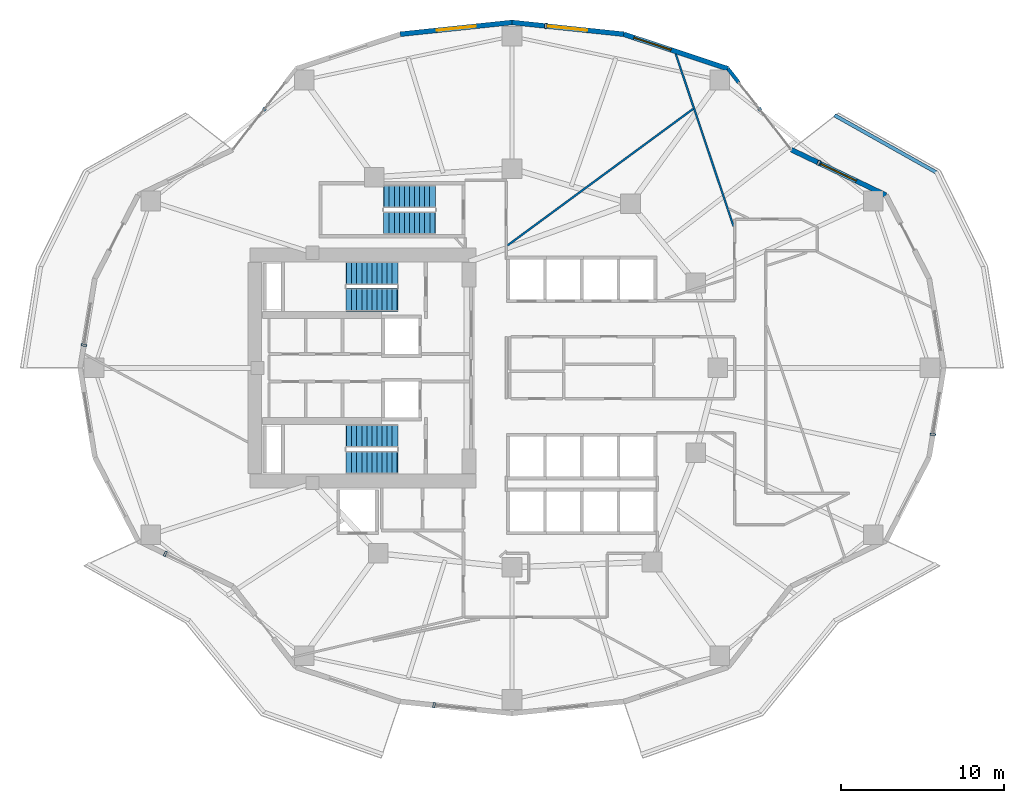
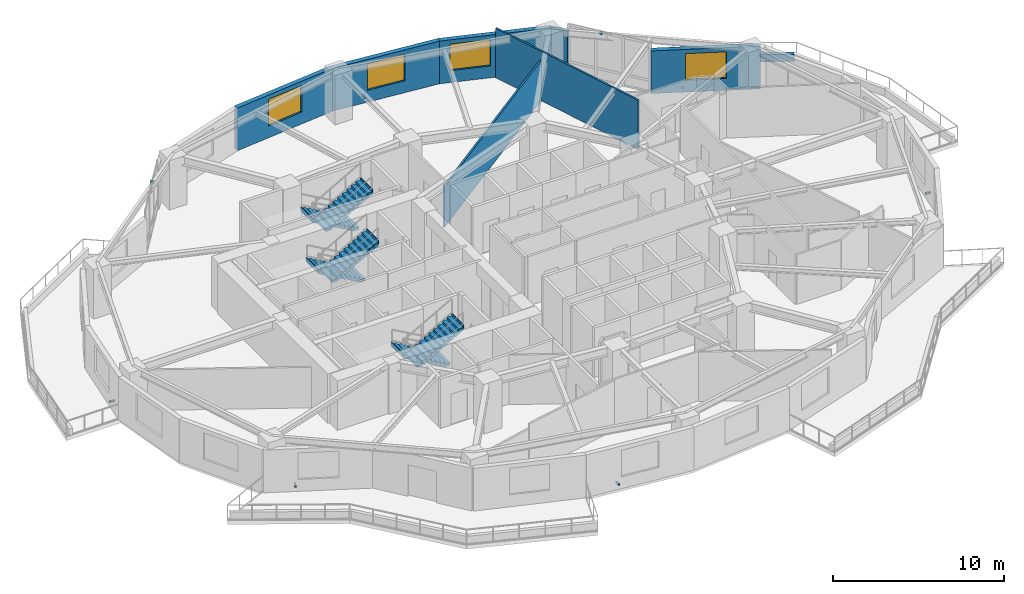
# One storey, part 9 of 12: 8 discrete accessories, 8 walls, 6 stair flights, 4 windows, 4 openings, 3 elements without a shape of their own.
"""IFC4 building model written with IfcOpenShell, lengths in metres."""

from ifc_helpers import new_model, si_unit, direction, frame, frame_2d, origin, origin_2d, place, context, subcontext, project, spatial, polyline, rectangle, outline, extrude, material, layer, layer_set, type_object, element, fill, aggregate, save


model = new_model("IFC4")

# Units and contexts
model_context = context("Model", 3, precision=1e-05, world=origin(), true_north=direction((0.0, 1.0)))
body_context = subcontext(model_context, "Body", "Model", "MODEL_VIEW")
ifc_project = project(units=[si_unit("LENGTHUNIT", "METRE"), si_unit("AREAUNIT", "SQUARE_METRE"), si_unit("VOLUMEUNIT", "CUBIC_METRE"), si_unit("PLANEANGLEUNIT", "RADIAN"), si_unit("MASSUNIT", "GRAM", prefix="KILO")], contexts=[model_context])

# Site, building, storey
site_placement = place(None, origin())
site = spatial("IfcSite", under=ifc_project, at=site_placement, CompositionType="ELEMENT")
building_placement = place(site_placement, origin())
building = spatial("IfcBuilding", under=site, at=building_placement, Name="Kolvaren Gate Tower and Convention Centre", CompositionType="ELEMENT")
storey_placement = place(building_placement, frame((0.0, 0.0, 91.949951171875)))
storey = spatial("IfcBuildingStorey", under=building, at=storey_placement, Name="L22", CompositionType="ELEMENT", Elevation=91.949951171875)

# Walls
ifc_material_1 = material(Name="Fire-Rated Acoustic Gypsum Stud Partition", Category="gypsum")
ifc_layer_1 = layer(ifc_material_1, 0.1201171875)
ifc_layer_set_1 = layer_set([ifc_layer_1], Name="Fire-Rated Acoustic Gypsum Stud Partition")
wall_type_1 = type_object("IfcWallType", Name="ARCH-WL-PART-120", PredefinedType="PARTITIONING", material=ifc_layer_set_1)
wall_1_placement = place(storey_placement, frame((40.150390625, 46.214599609375, 0.0), z_axis=(0.0, 0.0, 1.0), x_axis=(0.318097538603, -0.948057991863, 0.0)))
element("IfcWall", 1, at=wall_1_placement, inside=storey, type_object=wall_type_1, Name="Interior Partition WL-L22-INT-054", PredefinedType="PARTITIONING", context=body_context, shape_type="SweptSolid", body=[
    extrude(rectangle(XDim=11.12109375, YDim=0.1201171875, at=frame_2d((5.560546875, 0.0))), origin(), (0.0, 0.0, 1.0), 3.530029296875),
])
wall_2_placement = place(storey_placement, frame((29.842041015625, 34.49462890625, 0.0), z_axis=(0.0, 0.0, 1.0), x_axis=(0.805582047077, 0.592484232219, 0.0)))
element("IfcWall", 2, at=wall_2_placement, inside=storey, type_object=wall_type_1, Name="Interior Partition WL-L22-INT-061", PredefinedType="PARTITIONING", context=body_context, shape_type="SweptSolid", body=[
    extrude(rectangle(XDim=14.113525390625, YDim=0.1201171875, at=frame_2d((7.056640625, 0.0))), origin(), (0.0, 0.0, 1.0), 2.89404296875),
])
ifc_material_2 = material(Name="Bogota Sabana Bush-Hammered Sandstone Cladding", Category="masonry")
ifc_layer_2 = layer(ifc_material_2, 0.219970703125)
ifc_layer_set_2 = layer_set([ifc_layer_2], Name="Bogota Sabana Bush-Hammered Sandstone Cladding")
wall_type_2 = type_object("IfcWallType", Name="ARCH-WL-PIER-220", PredefinedType="SOLIDWALL", material=ifc_layer_set_2)
wall_3_placement = place(storey_placement, frame((43.34375, 45.31640625, 0.0), z_axis=(0.0, 0.0, 1.0), x_axis=(0.616387780378, -0.787442762492, 0.0)))
element("IfcWall", 3, at=wall_3_placement, inside=storey, type_object=wall_type_2, Name="Tower L22 Unitised Curtain Wall CW-OFF-UNIT Bay 03 Left Column Pier Wrap", PredefinedType="SOLIDWALL", context=body_context, shape_type="SweptSolid", body=[
    extrude(rectangle(XDim=1.076171875, YDim=0.219970703125, at=frame_2d((0.5380859375, 0.0))), origin(), (0.0, 0.0, 1.0), 3.052978515625),
])
ifc_material_3 = material(Name="Piedmont Cream Honed Limestone Cladding", Category="masonry")
ifc_layer_3 = layer(ifc_material_3, 0.219970703125)
ifc_layer_set_3 = layer_set([ifc_layer_3], Name="Piedmont Cream Honed Limestone Cladding")
wall_type_3 = type_object("IfcWallType", Name="ARCH-WL-PLANTER-220", PredefinedType="PARAPET", material=ifc_layer_set_3)
wall_4_placement = place(storey_placement, frame((49.867919921875, 42.469482421875, 0.0), z_axis=(0.0, 0.0, 1.0), x_axis=(0.871775109335, -0.489906275468, 0.0)))
element("IfcWall", 4, at=wall_4_placement, inside=storey, type_object=wall_type_3, Name="Vertical-Forest Balcony Stone Planter Kerb PK-L22-1.3", PredefinedType="PARAPET", context=body_context, shape_type="SweptSolid", body=[
    extrude(rectangle(XDim=7.152099609375, YDim=0.219970703125, at=frame_2d((3.576171875, 0.0))), origin(), (0.0, 0.0, 1.0), 0.52001953125),
])

# Wall, opening, window
ifc_layer_4 = layer(ifc_material_3, 0.300048828125)
ifc_layer_set_4 = layer_set([ifc_layer_4], Name="Piedmont Cream Honed Limestone Cladding")
wall_type_4 = type_object("IfcWallType", Name="ARCH-WL-STONE-300", PredefinedType="SOLIDWALL", material=ifc_layer_set_4)
wall_5_placement = place(storey_placement, frame((47.223876953125, 40.360107421875, 0.0), z_axis=(0.0, 0.0, 1.0), x_axis=(0.901354747727, -0.433081538224, 0.0)))
wall_5 = element("IfcWall", 5, at=wall_5_placement, inside=storey, type_object=wall_type_4, Name="Tower L22 Honed Stone Spandrel Wall EW-02", PredefinedType="SOLIDWALL", context=body_context, shape_type="SweptSolid", body=[
    extrude(rectangle(XDim=6.430908203125, YDim=0.300048828125, at=frame_2d((3.21533203125, 0.0))), origin(), (0.0, 0.0, 1.0), 3.052978515625),
])
opening_1_placement = place(wall_5_placement, frame((2.014892578125, 0.0, 0.85009765625)))
opening_1 = element("IfcOpeningElement", 6, at=opening_1_placement, cuts=wall_5, Name="Opening W-01", PredefinedType="OPENING", context=body_context, shape_type="SweptSolid", body=[
    extrude(rectangle(XDim=2.39990234375, YDim=1.89990234375, at=frame_2d((1.199951171875, 0.949951171875))), frame((0.0, 0.159912109375, 0.0), z_axis=(0.0, -1.0, 0.0), x_axis=(1.0, 0.0, 0.0)), (0.0, 0.0, 1.0), 0.320068359375),
])
ifc_material_4 = material(Name="Low-E Triple Insulated Glazing Unit 44 mm", Category="glass")
window_type = type_object("IfcWindowType", Name="ARCH-WN-OFF-2400", PartitioningType="SINGLE_PANEL", PredefinedType="WINDOW", material=ifc_material_4)
window_1_placement = place(opening_1_placement, origin())
window_1 = element("IfcWindow", 7, at=window_1_placement, inside=storey, type_object=window_type, Name="Tower L22 Punched Stone Facade Window W-02", OverallHeight=1.89990234375, OverallWidth=2.39990234375, PartitioningType="SINGLE_PANEL", PredefinedType="WINDOW", context=body_context, shape_type="SweptSolid", body=[
    extrude(rectangle(XDim=2.39990234375, YDim=1.89990234375, at=frame_2d((1.199951171875, 0.949951171875))), frame((0.0, 0.030029296875, 0.0), z_axis=(0.0, -1.0, 0.0), x_axis=(1.0, 0.0, 0.0)), (0.0, 0.0, 1.0), 0.06005859375),
])
fill(opening_1, window_1)

wall_6_placement = place(storey_placement, frame((36.967529296875, 47.42919921875, 0.0), z_axis=(0.0, 0.0, 1.0), x_axis=(0.949245153629, -0.314537181127, 0.0)))
wall_6 = element("IfcWall", 8, at=wall_6_placement, inside=storey, type_object=wall_type_4, Name="Tower L22 Honed Stone Spandrel Wall EW-04", PredefinedType="SOLIDWALL", context=body_context, shape_type="SweptSolid", body=[
    extrude(rectangle(XDim=6.717041015625, YDim=0.300048828125, at=frame_2d((3.3583984375, 0.0))), origin(), (0.0, 0.0, 1.0), 3.052978515625),
])
opening_2_placement = place(wall_6_placement, frame((0.64990234375, 0.0, 0.85009765625)))
opening_2 = element("IfcOpeningElement", 9, at=opening_2_placement, cuts=wall_6, Name="Opening W-01", PredefinedType="OPENING", context=body_context, shape_type="SweptSolid", body=[
    extrude(rectangle(XDim=2.39990234375, YDim=1.89990234375, at=frame_2d((1.199951171875, 0.949951171875))), frame((0.0, 0.159912109375, 0.0), z_axis=(0.0, -1.0, 0.0), x_axis=(1.0, 0.0, 0.0)), (0.0, 0.0, 1.0), 0.320068359375),
])
window_2_placement = place(opening_2_placement, origin())
window_2 = element("IfcWindow", 10, at=window_2_placement, inside=storey, type_object=window_type, Name="Tower L22 Punched Stone Facade Window W-04", OverallHeight=1.89990234375, OverallWidth=2.39990234375, PartitioningType="SINGLE_PANEL", PredefinedType="WINDOW", context=body_context, shape_type="SweptSolid", body=[
    extrude(rectangle(XDim=2.39990234375, YDim=1.89990234375, at=frame_2d((1.199951171875, 0.949951171875))), frame((0.0, 0.030029296875, 0.0), z_axis=(0.0, -1.0, 0.0), x_axis=(1.0, 0.0, 0.0)), (0.0, 0.0, 1.0), 0.06005859375),
])
fill(opening_2, window_2)

wall_7_placement = place(storey_placement, frame((30.125, 48.14990234375, 0.0), z_axis=(0.0, 0.0, 1.0), x_axis=(0.994498840295, -0.104747585419, 0.0)))
wall_7 = element("IfcWall", 11, at=wall_7_placement, inside=storey, type_object=wall_type_4, Name="Tower L22 Honed Stone Spandrel Wall EW-05", PredefinedType="SOLIDWALL", context=body_context, shape_type="SweptSolid", body=[
    extrude(rectangle(XDim=6.88037109375, YDim=0.300048828125, at=frame_2d((3.440185546875, 0.0))), origin(), (0.0, 0.0, 1.0), 3.052978515625),
])
opening_3_placement = place(wall_7_placement, frame((2.239990234375, 0.0, 0.85009765625)))
opening_3 = element("IfcOpeningElement", 12, at=opening_3_placement, cuts=wall_7, Name="Opening W-01", PredefinedType="OPENING", context=body_context, shape_type="SweptSolid", body=[
    extrude(rectangle(XDim=2.39990234375, YDim=1.89990234375, at=frame_2d((1.199951171875, 0.949951171875))), frame((0.0, 0.159912109375, 0.0), z_axis=(0.0, -1.0, 0.0), x_axis=(1.0, 0.0, 0.0)), (0.0, 0.0, 1.0), 0.320068359375),
])
window_3_placement = place(opening_3_placement, origin())
window_3 = element("IfcWindow", 13, at=window_3_placement, inside=storey, type_object=window_type, Name="Tower L22 Punched Stone Facade Window W-05", OverallHeight=1.89990234375, OverallWidth=2.39990234375, PartitioningType="SINGLE_PANEL", PredefinedType="WINDOW", context=body_context, shape_type="SweptSolid", body=[
    extrude(rectangle(XDim=2.39990234375, YDim=1.89990234375, at=frame_2d((1.199951171875, 0.949951171875))), frame((0.0, 0.030029296875, 0.0), z_axis=(0.0, -1.0, 0.0), x_axis=(1.0, 0.0, 0.0)), (0.0, 0.0, 1.0), 0.06005859375),
])
fill(opening_3, window_3)

wall_8_placement = place(storey_placement, frame((23.282470703125, 47.42919921875, 0.0), z_axis=(0.0, 0.0, 1.0), x_axis=(0.994498840295, 0.104747585419, 0.0)))
wall_8 = element("IfcWall", 14, at=wall_8_placement, inside=storey, type_object=wall_type_4, Name="Tower L22 Honed Stone Spandrel Wall EW-06", PredefinedType="SOLIDWALL", context=body_context, shape_type="SweptSolid", body=[
    extrude(rectangle(XDim=6.88037109375, YDim=0.300048828125, at=frame_2d((3.440185546875, 0.0))), origin(), (0.0, 0.0, 1.0), 3.052978515625),
])
opening_4_placement = place(wall_8_placement, frame((2.239990234375, 0.0, 0.85009765625)))
opening_4 = element("IfcOpeningElement", 15, at=opening_4_placement, cuts=wall_8, Name="Opening W-01", PredefinedType="OPENING", context=body_context, shape_type="SweptSolid", body=[
    extrude(rectangle(XDim=2.39990234375, YDim=1.89990234375, at=frame_2d((1.199951171875, 0.949951171875))), frame((0.0, 0.159912109375, 0.0), z_axis=(0.0, -1.0, 0.0), x_axis=(1.0, 0.0, 0.0)), (0.0, 0.0, 1.0), 0.320068359375),
])
window_4_placement = place(opening_4_placement, origin())
window_4 = element("IfcWindow", 16, at=window_4_placement, inside=storey, type_object=window_type, Name="Tower L22 Punched Stone Facade Window W-06", OverallHeight=1.89990234375, OverallWidth=2.39990234375, PartitioningType="SINGLE_PANEL", PredefinedType="WINDOW", context=body_context, shape_type="SweptSolid", body=[
    extrude(rectangle(XDim=2.39990234375, YDim=1.89990234375, at=frame_2d((1.199951171875, 0.949951171875))), frame((0.0, 0.030029296875, 0.0), z_axis=(0.0, -1.0, 0.0), x_axis=(1.0, 0.0, 0.0)), (0.0, 0.0, 1.0), 0.06005859375),
])
fill(opening_4, window_4)

# Stair, stair flights
ifc_material_5 = material(Name="Concrete C50/60", Category="concrete")
stair_type = type_object("IfcStairType", Name="STR-STAIR-CORE", PredefinedType="HALF_TURN_STAIR", material=ifc_material_5)
stair_1_placement = place(storey_placement, origin())
stair_1 = element("IfcStair", 17, at=stair_1_placement, inside=storey, type_object=stair_type, Name="L22 Tower North Exit Stair ST-T1", PredefinedType="HALF_TURN_STAIR")
stair_flight_type = type_object("IfcStairFlightType", Name="STR-SFL-1420", PredefinedType="STRAIGHT", material=ifc_material_5)
stair_flight_1_placement = place(storey_placement, frame((23.10009765625, 32.7900390625, 0.0), z_axis=(0.0, 0.0, 1.0), x_axis=(-1.0, 0.0, 0.0)))
stair_flight_1 = element("IfcStairFlight", 18, at=stair_flight_1_placement, type_object=stair_flight_type, Name="ST-T1 flight 1", NumberOfRisers=11, NumberOfTreads=10, PredefinedType="STRAIGHT", RiserHeight=0.175, TreadLength=0.31, context=body_context, shape_type="SweptSolid", body=[
    extrude(outline(polyline([(-0.034912109375, 0.0), (-0.034912109375, 0.175048828125), (0.31005859375, 0.175048828125), (0.31005859375, 0.35009765625), (0.6201171875, 0.35009765625), (0.6201171875, 0.52490234375), (0.929931640625, 0.52490234375), (0.929931640625, 0.699951171875), (1.239990234375, 0.699951171875), (1.239990234375, 0.875), (1.550048828125, 0.875), (1.550048828125, 1.050048828125), (1.860107421875, 1.050048828125), (1.860107421875, 1.22509765625), (2.169921875, 1.22509765625), (2.169921875, 1.39990234375), (2.47998046875, 1.39990234375), (2.47998046875, 1.574951171875), (2.7900390625, 1.574951171875), (2.7900390625, 1.75), (3.10009765625, 1.75), (3.10009765625, 1.925048828125), (3.14501953125, 1.925048828125), (3.14501953125, 1.764892578125), (3.10009765625, 1.577880859375), (0.304931640625, 0.0), (-0.034912109375, 0.0)])), frame((0.0, 0.7099609375, 0.0), z_axis=(0.0, -1.0, 0.0), x_axis=(1.0, 0.0, 0.0)), (0.0, 0.0, 1.0), 1.419921875),
])
stair_flight_2_placement = place(storey_placement, frame((20.0, 31.169921875, 1.925048828125), z_axis=(0.0, 0.0, 1.0), x_axis=(1.0, 0.0, 0.0)))
stair_flight_2 = element("IfcStairFlight", 19, at=stair_flight_2_placement, type_object=stair_flight_type, Name="ST-T1 flight 2", NumberOfRisers=11, NumberOfTreads=10, PredefinedType="STRAIGHT", RiserHeight=0.175, TreadLength=0.31, context=body_context, shape_type="SweptSolid", body=[
    extrude(outline(polyline([(-0.034912109375, 0.0), (-0.034912109375, 0.175048828125), (0.31005859375, 0.175048828125), (0.31005859375, 0.35009765625), (0.6201171875, 0.35009765625), (0.6201171875, 0.52490234375), (0.929931640625, 0.52490234375), (0.929931640625, 0.699951171875), (1.239990234375, 0.699951171875), (1.239990234375, 0.875), (1.550048828125, 0.875), (1.550048828125, 1.050048828125), (1.860107421875, 1.050048828125), (1.860107421875, 1.22509765625), (2.169921875, 1.22509765625), (2.169921875, 1.39990234375), (2.47998046875, 1.39990234375), (2.47998046875, 1.574951171875), (2.7900390625, 1.574951171875), (2.7900390625, 1.75), (3.10009765625, 1.75), (3.10009765625, 1.925048828125), (3.14501953125, 1.925048828125), (3.14501953125, 1.764892578125), (3.10009765625, 1.577880859375), (0.304931640625, 0.0), (-0.034912109375, 0.0)])), frame((0.0, 0.7099609375, 0.0), z_axis=(0.0, -1.0, 0.0), x_axis=(1.0, 0.0, 0.0)), (0.0, 0.0, 1.0), 1.419921875),
])
aggregate(stair_1, [stair_flight_1, stair_flight_2])

stair_2_placement = place(storey_placement, origin())
stair_2 = element("IfcStair", 20, at=stair_2_placement, inside=storey, type_object=stair_type, Name="L22 Tower South Exit Stair ST-T2", PredefinedType="HALF_TURN_STAIR")
stair_flight_3_placement = place(storey_placement, frame((23.10009765625, 22.830078125, 0.0), z_axis=(0.0, 0.0, 1.0), x_axis=(-1.0, 0.0, 0.0)))
stair_flight_3 = element("IfcStairFlight", 21, at=stair_flight_3_placement, type_object=stair_flight_type, Name="ST-T2 flight 1", NumberOfRisers=11, NumberOfTreads=10, PredefinedType="STRAIGHT", RiserHeight=0.175, TreadLength=0.31, context=body_context, shape_type="SweptSolid", body=[
    extrude(outline(polyline([(-0.034912109375, 0.0), (-0.034912109375, 0.175048828125), (0.31005859375, 0.175048828125), (0.31005859375, 0.35009765625), (0.6201171875, 0.35009765625), (0.6201171875, 0.52490234375), (0.929931640625, 0.52490234375), (0.929931640625, 0.699951171875), (1.239990234375, 0.699951171875), (1.239990234375, 0.875), (1.550048828125, 0.875), (1.550048828125, 1.050048828125), (1.860107421875, 1.050048828125), (1.860107421875, 1.22509765625), (2.169921875, 1.22509765625), (2.169921875, 1.39990234375), (2.47998046875, 1.39990234375), (2.47998046875, 1.574951171875), (2.7900390625, 1.574951171875), (2.7900390625, 1.75), (3.10009765625, 1.75), (3.10009765625, 1.925048828125), (3.14501953125, 1.925048828125), (3.14501953125, 1.764892578125), (3.10009765625, 1.577880859375), (0.304931640625, 0.0), (-0.034912109375, 0.0)])), frame((0.0, 0.7099609375, 0.0), z_axis=(0.0, -1.0, 0.0), x_axis=(1.0, 0.0, 0.0)), (0.0, 0.0, 1.0), 1.419921875),
])
stair_flight_4_placement = place(storey_placement, frame((20.0, 21.2099609375, 1.925048828125), z_axis=(0.0, 0.0, 1.0), x_axis=(1.0, 0.0, 0.0)))
stair_flight_4 = element("IfcStairFlight", 22, at=stair_flight_4_placement, type_object=stair_flight_type, Name="ST-T2 flight 2", NumberOfRisers=11, NumberOfTreads=10, PredefinedType="STRAIGHT", RiserHeight=0.175, TreadLength=0.31, context=body_context, shape_type="SweptSolid", body=[
    extrude(outline(polyline([(-0.034912109375, 0.0), (-0.034912109375, 0.175048828125), (0.31005859375, 0.175048828125), (0.31005859375, 0.35009765625), (0.6201171875, 0.35009765625), (0.6201171875, 0.52490234375), (0.929931640625, 0.52490234375), (0.929931640625, 0.699951171875), (1.239990234375, 0.699951171875), (1.239990234375, 0.875), (1.550048828125, 0.875), (1.550048828125, 1.050048828125), (1.860107421875, 1.050048828125), (1.860107421875, 1.22509765625), (2.169921875, 1.22509765625), (2.169921875, 1.39990234375), (2.47998046875, 1.39990234375), (2.47998046875, 1.574951171875), (2.7900390625, 1.574951171875), (2.7900390625, 1.75), (3.10009765625, 1.75), (3.10009765625, 1.925048828125), (3.14501953125, 1.925048828125), (3.14501953125, 1.764892578125), (3.10009765625, 1.577880859375), (0.304931640625, 0.0), (-0.034912109375, 0.0)])), frame((0.0, 0.7099609375, 0.0), z_axis=(0.0, -1.0, 0.0), x_axis=(1.0, 0.0, 0.0)), (0.0, 0.0, 1.0), 1.419921875),
])
aggregate(stair_2, [stair_flight_3, stair_flight_4])

stair_3_placement = place(storey_placement, origin())
stair_3 = element("IfcStair", 23, at=stair_3_placement, inside=storey, type_object=stair_type, Name="L22 Tower Mid-Zone Exit Stair ST-T3", PredefinedType="HALF_TURN_STAIR")
stair_flight_5_placement = place(storey_placement, frame((25.39990234375, 37.489990234375, 0.0), z_axis=(0.0, 0.0, 1.0), x_axis=(-1.0, 0.0, 0.0)))
stair_flight_5 = element("IfcStairFlight", 24, at=stair_flight_5_placement, type_object=stair_flight_type, Name="ST-T3 flight 1", NumberOfRisers=11, NumberOfTreads=10, PredefinedType="STRAIGHT", RiserHeight=0.175, TreadLength=0.31, context=body_context, shape_type="SweptSolid", body=[
    extrude(outline(polyline([(-0.034912109375, 0.0), (-0.034912109375, 0.175048828125), (0.31005859375, 0.175048828125), (0.31005859375, 0.35009765625), (0.6201171875, 0.35009765625), (0.6201171875, 0.52490234375), (0.929931640625, 0.52490234375), (0.929931640625, 0.699951171875), (1.239990234375, 0.699951171875), (1.239990234375, 0.875), (1.550048828125, 0.875), (1.550048828125, 1.050048828125), (1.860107421875, 1.050048828125), (1.860107421875, 1.22509765625), (2.169921875, 1.22509765625), (2.169921875, 1.39990234375), (2.47998046875, 1.39990234375), (2.47998046875, 1.574951171875), (2.7900390625, 1.574951171875), (2.7900390625, 1.75), (3.10009765625, 1.75), (3.10009765625, 1.925048828125), (3.14501953125, 1.925048828125), (3.14501953125, 1.764892578125), (3.10009765625, 1.577880859375), (0.304931640625, 0.0), (-0.034912109375, 0.0)])), frame((0.0, 0.7099609375, 0.0), z_axis=(0.0, -1.0, 0.0), x_axis=(1.0, 0.0, 0.0)), (0.0, 0.0, 1.0), 1.419921875),
])
stair_flight_6_placement = place(storey_placement, frame((22.300048828125, 35.8701171875, 1.925048828125), z_axis=(0.0, 0.0, 1.0), x_axis=(1.0, 0.0, 0.0)))
stair_flight_6 = element("IfcStairFlight", 25, at=stair_flight_6_placement, type_object=stair_flight_type, Name="ST-T3 flight 2", NumberOfRisers=11, NumberOfTreads=10, PredefinedType="STRAIGHT", RiserHeight=0.175, TreadLength=0.31, context=body_context, shape_type="SweptSolid", body=[
    extrude(outline(polyline([(-0.034912109375, 0.0), (-0.034912109375, 0.175048828125), (0.31005859375, 0.175048828125), (0.31005859375, 0.35009765625), (0.6201171875, 0.35009765625), (0.6201171875, 0.52490234375), (0.929931640625, 0.52490234375), (0.929931640625, 0.699951171875), (1.239990234375, 0.699951171875), (1.239990234375, 0.875), (1.550048828125, 0.875), (1.550048828125, 1.050048828125), (1.860107421875, 1.050048828125), (1.860107421875, 1.22509765625), (2.169921875, 1.22509765625), (2.169921875, 1.39990234375), (2.47998046875, 1.39990234375), (2.47998046875, 1.574951171875), (2.7900390625, 1.574951171875), (2.7900390625, 1.75), (3.10009765625, 1.75), (3.10009765625, 1.925048828125), (3.14501953125, 1.925048828125), (3.14501953125, 1.764892578125), (3.10009765625, 1.577880859375), (0.304931640625, 0.0), (-0.034912109375, 0.0)])), frame((0.0, 0.7099609375, 0.0), z_axis=(0.0, -1.0, 0.0), x_axis=(1.0, 0.0, 0.0)), (0.0, 0.0, 1.0), 1.419921875),
])
aggregate(stair_3, [stair_flight_5, stair_flight_6])

# Discrete accessories
ifc_material_6 = material(Name="Anodized Architectural Aluminium Alloy 6063-T6", Category="aluminium")
discrete_accessory_type = type_object("IfcDiscreteAccessoryType", Name="ARCH-ACC-BRACKET-120", PredefinedType="BRACKET", material=ifc_material_6)
discrete_accessory_1_placement = place(storey_placement, frame((48.89599609375, 39.556640625, 0.2900390625), z_axis=(0.0, 0.0, 1.0), x_axis=(0.901357634097, -0.433075530889, 0.0)))
element("IfcDiscreteAccessory", 26, at=discrete_accessory_1_placement, inside=storey, type_object=discrete_accessory_type, Name="Ceramic Fin Wall Anchor Bracket FBK-L22-02", PredefinedType="BRACKET", context=body_context, shape_type="SweptSolid", body=[
    extrude(rectangle(XDim=0.1201171875, YDim=0.320068359375, at=origin_2d()), origin(), (0.0, 0.0, 1.0), 0.1201171875),
])
discrete_accessory_2_placement = place(storey_placement, frame((45.283935546875, 42.83837890625, 3.35009765625), z_axis=(0.0, 0.0, 1.0), x_axis=(0.616431370541, -0.787408639407, 0.0)))
element("IfcDiscreteAccessory", 27, at=discrete_accessory_2_placement, inside=storey, type_object=discrete_accessory_type, Name="Solar Screen Spandrel Anchor Bracket BK-L22-03", PredefinedType="BRACKET", context=body_context, shape_type="SweptSolid", body=[
    extrude(rectangle(XDim=0.179931640625, YDim=0.219970703125, at=origin_2d()), origin(), (0.0, 0.0, 1.0), 0.1201171875),
])
discrete_accessory_3_placement = place(storey_placement, frame((32.193603515625, 47.93212890625, 0.2900390625), z_axis=(0.0, 0.0, 1.0), x_axis=(0.994498884311, -0.104747167526, 0.0)))
element("IfcDiscreteAccessory", 28, at=discrete_accessory_3_placement, inside=storey, type_object=discrete_accessory_type, Name="Ceramic Fin Wall Anchor Bracket FBK-L22-05", PredefinedType="BRACKET", context=body_context, shape_type="SweptSolid", body=[
    extrude(rectangle(XDim=0.1201171875, YDim=0.320068359375, at=origin_2d()), origin(), (0.0, 0.0, 1.0), 0.1201171875),
])
discrete_accessory_4_placement = place(storey_placement, frame((14.96630859375, 42.83837890625, 3.35009765625), z_axis=(0.0, 0.0, 1.0), x_axis=(0.61644236478, 0.787400032325, 0.0)))
element("IfcDiscreteAccessory", 29, at=discrete_accessory_4_placement, inside=storey, type_object=discrete_accessory_type, Name="Solar Screen Spandrel Anchor Bracket BK-L22-08", PredefinedType="BRACKET", context=body_context, shape_type="SweptSolid", body=[
    extrude(rectangle(XDim=0.179931640625, YDim=0.219970703125, at=origin_2d()), origin(), (0.0, 0.0, 1.0), 0.1201171875),
])
for number, where, z_axis, x_axis, name in (
    (30, (3.9169921875, 28.395263671875, 0.2900390625), (0.0, 0.0, 1.0), (0.162375401515, 0.986729055508, 0.0), "Ceramic Fin Wall Anchor Bracket FBK-L22-11"),
    (31, (8.901611328125, 15.62158203125, 0.2900390625), (0.0, 0.0, 1.0), (0.901357634097, -0.433075530889, 0.0), "Ceramic Fin Wall Anchor Bracket FBK-L22-14"),
    (32, (25.35107421875, 6.352783203125, 0.2900390625), (0.0, 0.0, 1.0), (0.994498884311, -0.104747167526, 0.0), "Ceramic Fin Wall Anchor Bracket FBK-L22-17"),
    (33, (55.891357421875, 22.921142578125, 0.2900390625), (0.0, 0.0, 1.0), (0.162375401515, 0.986729055508, 0.0), "Ceramic Fin Wall Anchor Bracket FBK-L22-23"),
):
    element("IfcDiscreteAccessory", number, at=place(storey_placement, frame(where, z_axis=z_axis, x_axis=x_axis)), inside=storey, type_object=discrete_accessory_type, Name=name, PredefinedType="BRACKET", context=body_context, shape_type="SweptSolid", body=[
        extrude(rectangle(XDim=0.1201171875, YDim=0.320068359375, at=origin_2d()), origin(), (0.0, 0.0, 1.0), 0.1201171875),
    ])

save(model, "model.ifc")
